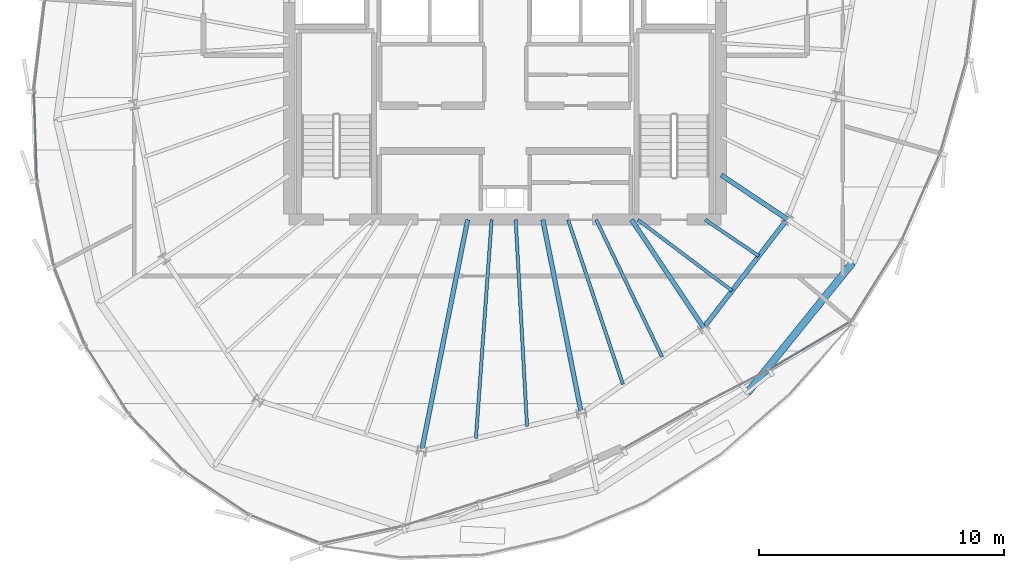
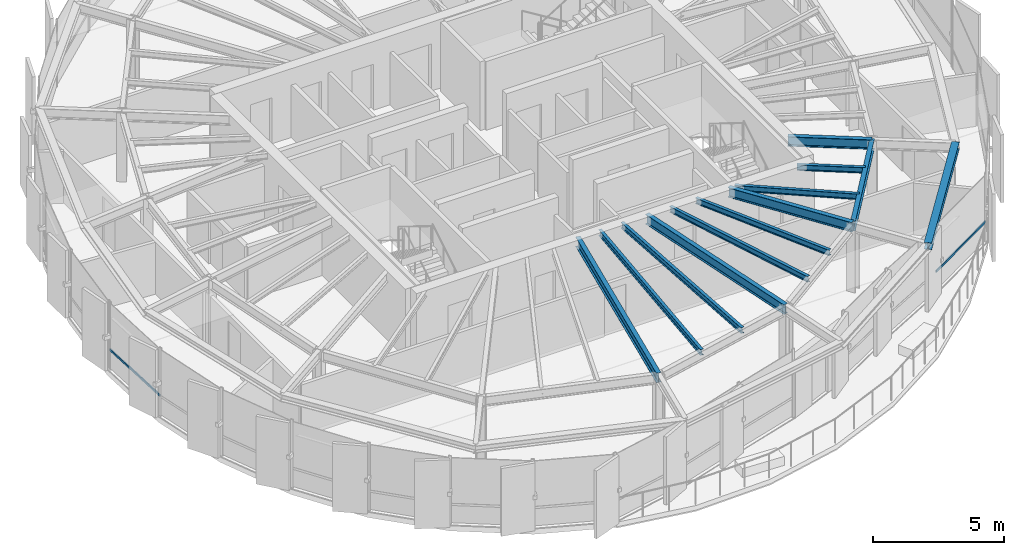
# One storey, part 8 of 31: 12 beams, 2 members, 2 elements without a shape of their own.
"""IFC4 building model written with IfcOpenShell, lengths in metres."""

from ifc_helpers import new_model, si_unit, direction, frame, origin, origin_2d, place, context, subcontext, project, spatial, hollow_rectangle, i_section, extrude, source, transform, mapped, material, layer, layer_set, material_profile, profile_set, type_object, element, aggregate, save


model = new_model("IFC4")

# Units and contexts
model_context = context("Model", 3, precision=1e-05, world=origin(), true_north=direction((0.0, 1.0)))
body_context = subcontext(model_context, "Body", "Model", "MODEL_VIEW")
ifc_project = project(units=[si_unit("LENGTHUNIT", "METRE"), si_unit("AREAUNIT", "SQUARE_METRE"), si_unit("VOLUMEUNIT", "CUBIC_METRE"), si_unit("PLANEANGLEUNIT", "RADIAN"), si_unit("MASSUNIT", "GRAM", prefix="KILO"), si_unit("THERMODYNAMICTEMPERATUREUNIT", "KELVIN")], contexts=[model_context])

# Site, building, storey
site_placement = place(None, origin())
site = spatial("IfcSite", under=ifc_project, at=site_placement, CompositionType="ELEMENT")
building_placement = place(site_placement, origin())
building = spatial("IfcBuilding", under=site, at=building_placement, Name="Kethvar Cultural Tower", CompositionType="ELEMENT")
storey_placement = place(building_placement, frame((0.0, 0.0, 283.60009765625)))
storey = spatial("IfcBuildingStorey", under=building, at=storey_placement, Name="L75", CompositionType="ELEMENT", Elevation=283.60009765625)

# Beams
ifc_material_1 = material(Name="Steel S355J2", Category="steel")
ifc_material_profile_1 = material_profile(ifc_material_1, i_section(OverallWidth=0.18994140625, OverallDepth=0.449951171875, WebThickness=0.009521484375, FlangeThickness=0.0146484375, FilletRadius=0.02099609375, at=origin_2d()), Name="Steel S355J2 — IPE450")
ifc_profile_set_1 = profile_set([ifc_material_profile_1], Name="Steel S355J2 — IPE450")
beam_type_1 = type_object("IfcBeamType", Name="BM-IPE450", PredefinedType="BEAM", material=ifc_profile_set_1)
shared_shape_1 = source(origin(), body_context, "Body", "SweptSolid", [
    extrude(i_section(OverallWidth=0.18994140625, OverallDepth=0.449951171875, WebThickness=0.009521484375, FlangeThickness=0.0146484375, FilletRadius=0.02099609375, at=origin_2d()), origin(), (0.0, 0.0, 1.0), 9.613525390625),
])
beam_1_placement = place(storey_placement, frame((45.268310546875, 20.10009765625, 2.98291015625), z_axis=(-0.195090428816, -0.980785259159, 0.0), x_axis=(0.980785259159, -0.195090428816, 0.0)))
element("IfcBeam", 1, at=beam_1_placement, inside=storey, type_object=beam_type_1, Name="L75 Primary Radial Beam RB-12", PredefinedType="BEAM", context=body_context, shape_type="MappedRepresentation", body=[
    mapped(shared_shape_1, transform((0.0, 0.0, 0.0), scale=1.0)),
])
shared_shape_2 = source(origin(), body_context, "Body", "SweptSolid", [
    extrude(i_section(OverallWidth=0.18994140625, OverallDepth=0.449951171875, WebThickness=0.009521484375, FlangeThickness=0.0146484375, FilletRadius=0.02099609375, at=origin_2d()), origin(), (0.0, 0.0, 1.0), 8.0478515625),
])
beam_2_placement = place(storey_placement, frame((48.33154296875, 20.10009765625, 2.98291015625), z_axis=(0.195089278796, -0.980785487912, 0.0), x_axis=(0.980785487912, 0.195089278796, 0.0)))
element("IfcBeam", 2, at=beam_2_placement, inside=storey, type_object=beam_type_1, Name="L75 Primary Radial Beam RB-13", PredefinedType="BEAM", context=body_context, shape_type="MappedRepresentation", body=[
    mapped(shared_shape_2, transform((0.0, 0.0, 0.0), scale=1.0)),
])
shared_shape_3 = source(origin(), body_context, "Body", "SweptSolid", [
    extrude(i_section(OverallWidth=0.18994140625, OverallDepth=0.449951171875, WebThickness=0.009521484375, FlangeThickness=0.0146484375, FilletRadius=0.02099609375, at=origin_2d()), origin(), (0.0, 0.0, 1.0), 5.291748046875),
])
beam_3_placement = place(storey_placement, frame((51.945068359375, 20.10009765625, 2.98291015625), z_axis=(0.555572931011, -0.831467809556, 0.0), x_axis=(0.831467809556, 0.555572931011, 0.0)))
element("IfcBeam", 3, at=beam_3_placement, inside=storey, type_object=beam_type_1, Name="L75 Primary Radial Beam RB-14", PredefinedType="BEAM", context=body_context, shape_type="MappedRepresentation", body=[
    mapped(shared_shape_3, transform((0.0, 0.0, 0.0), scale=1.0)),
])
shared_shape_4 = source(origin(), body_context, "Body", "SweptSolid", [
    extrude(i_section(OverallWidth=0.18994140625, OverallDepth=0.449951171875, WebThickness=0.009521484375, FlangeThickness=0.0146484375, FilletRadius=0.02099609375, at=origin_2d()), origin(), (0.0, 0.0, 1.0), 3.231689453125),
])
beam_4_placement = place(storey_placement, frame((55.60009765625, 21.919921875, 2.98291015625), z_axis=(0.831468708055, -0.55557158632, 0.0), x_axis=(0.55557158632, 0.831468708055, 0.0)))
element("IfcBeam", 4, at=beam_4_placement, inside=storey, type_object=beam_type_1, Name="L75 Primary Radial Beam RB-15", PredefinedType="BEAM", context=body_context, shape_type="MappedRepresentation", body=[
    mapped(shared_shape_4, transform((0.0, 0.0, 0.0), scale=1.0)),
])
ifc_material_profile_2 = material_profile(ifc_material_1, i_section(OverallWidth=0.135009765625, OverallDepth=0.27001953125, WebThickness=0.006591796875, FlangeThickness=0.01025390625, FilletRadius=0.014892578125, at=origin_2d()), Name="Steel S355J2 — IPE270")
ifc_profile_set_2 = profile_set([ifc_material_profile_2], Name="Steel S355J2 — IPE270")
beam_type_2 = type_object("IfcBeamType", Name="BM-J270", PredefinedType="JOIST", material=ifc_profile_set_2)
shared_shape_5 = source(origin(), body_context, "Body", "SweptSolid", [
    extrude(i_section(OverallWidth=0.135009765625, OverallDepth=0.27001953125, WebThickness=0.006591796875, FlangeThickness=0.01025390625, FilletRadius=0.014892578125, at=origin_2d()), origin(), (0.0, 0.0, 1.0), 8.9296875),
])
beam_5_placement = place(storey_placement, frame((46.246337890625, 20.10009765625, 3.072998046875), z_axis=(-0.071713352262, -0.99742528297, 0.0), x_axis=(0.99742528297, -0.071713352262, 0.0)))
element("IfcBeam", 5, at=beam_5_placement, inside=storey, type_object=beam_type_2, Name="L75 Composite Floor Joist J-12A", PredefinedType="JOIST", context=body_context, shape_type="MappedRepresentation", body=[
    mapped(shared_shape_5, transform((0.0, 0.0, 0.0), scale=1.0)),
])
shared_shape_6 = source(origin(), body_context, "Body", "SweptSolid", [
    extrude(i_section(OverallWidth=0.135009765625, OverallDepth=0.27001953125, WebThickness=0.006591796875, FlangeThickness=0.01025390625, FilletRadius=0.014892578125, at=origin_2d()), origin(), (0.0, 0.0, 1.0), 8.427978515625),
])
beam_6_placement = place(storey_placement, frame((47.224609375, 20.10009765625, 3.072998046875), z_axis=(0.055067321535, -0.998482643865, 0.0), x_axis=(0.998482643865, 0.055067321535, 0.0)))
element("IfcBeam", 6, at=beam_6_placement, inside=storey, type_object=beam_type_2, Name="L75 Composite Floor Joist J-12B", PredefinedType="JOIST", context=body_context, shape_type="MappedRepresentation", body=[
    mapped(shared_shape_6, transform((0.0, 0.0, 0.0), scale=1.0)),
])
shared_shape_7 = source(origin(), body_context, "Body", "SweptSolid", [
    extrude(i_section(OverallWidth=0.135009765625, OverallDepth=0.27001953125, WebThickness=0.006591796875, FlangeThickness=0.01025390625, FilletRadius=0.014892578125, at=origin_2d()), origin(), (0.0, 0.0, 1.0), 7.0673828125),
])
beam_7_placement = place(storey_placement, frame((49.363525390625, 20.10009765625, 3.072998046875), z_axis=(0.315875389768, -0.948800684095, 0.0), x_axis=(0.948800684095, 0.315875389768, 0.0)))
element("IfcBeam", 7, at=beam_7_placement, inside=storey, type_object=beam_type_2, Name="L75 Composite Floor Joist J-13A", PredefinedType="JOIST", context=body_context, shape_type="MappedRepresentation", body=[
    mapped(shared_shape_7, transform((0.0, 0.0, 0.0), scale=1.0)),
])
shared_shape_8 = source(origin(), body_context, "Body", "SweptSolid", [
    extrude(i_section(OverallWidth=0.135009765625, OverallDepth=0.27001953125, WebThickness=0.006591796875, FlangeThickness=0.01025390625, FilletRadius=0.014892578125, at=origin_2d()), origin(), (0.0, 0.0, 1.0), 6.2001953125),
])
beam_8_placement = place(storey_placement, frame((50.50341796875, 20.10009765625, 3.072998046875), z_axis=(0.433410678328, -0.901196529017, 0.0), x_axis=(0.901196529017, 0.433410678328, 0.0)))
element("IfcBeam", 8, at=beam_8_placement, inside=storey, type_object=beam_type_2, Name="L75 Composite Floor Joist J-13B", PredefinedType="JOIST", context=body_context, shape_type="MappedRepresentation", body=[
    mapped(shared_shape_8, transform((0.0, 0.0, 0.0), scale=1.0)),
])
shared_shape_9 = source(origin(), body_context, "Body", "SweptSolid", [
    extrude(i_section(OverallWidth=0.18994140625, OverallDepth=0.449951171875, WebThickness=0.009521484375, FlangeThickness=0.0146484375, FilletRadius=0.02099609375, at=origin_2d()), origin(), (0.0, 0.0, 1.0), 5.5810546875),
])
beam_9_placement = place(storey_placement, frame((54.885009765625, 15.7001953125, 2.98291015625), z_axis=(0.60957334008, 0.79272967843, 0.0), x_axis=(-0.79272967843, 0.60957334008, 0.0)))
element("IfcBeam", 9, at=beam_9_placement, inside=storey, type_object=beam_type_1, Name="L75 Column Ring Tie Beam CR-14", PredefinedType="BEAM", context=body_context, shape_type="MappedRepresentation", body=[
    mapped(shared_shape_9, transform((0.0, 0.0, 0.0), scale=1.0)),
])
ifc_material_profile_3 = material_profile(ifc_material_1, i_section(OverallWidth=0.300048828125, OverallDepth=0.320068359375, WebThickness=0.011474609375, FlangeThickness=0.0205078125, FilletRadius=0.027099609375, at=origin_2d()), Name="Steel S355J2 — HEB320")
ifc_profile_set_3 = profile_set([ifc_material_profile_3], Name="Steel S355J2 — HEB320")
beam_type_3 = type_object("IfcBeamType", Name="BM-SP320", PredefinedType="SPANDREL", material=ifc_profile_set_3)
shared_shape_10 = source(origin(), body_context, "Body", "SweptSolid", [
    extrude(i_section(OverallWidth=0.300048828125, OverallDepth=0.320068359375, WebThickness=0.011474609375, FlangeThickness=0.0205078125, FilletRadius=0.027099609375, at=origin_2d()), origin(), (0.0, 0.0, 1.0), 6.8212890625),
])
beam_10_placement = place(storey_placement, frame((56.66259765625, 13.039306640625, 3.0478515625), z_axis=(0.628197971595, 0.778053538315, 0.0), x_axis=(-0.778053538315, 0.628197971595, 0.0)))
element("IfcBeam", 10, at=beam_10_placement, inside=storey, type_object=beam_type_3, Name="L75 Perimeter Spandrel Beam SP-14", PredefinedType="SPANDREL", context=body_context, shape_type="MappedRepresentation", body=[
    mapped(shared_shape_10, transform((0.0, 0.0, 0.0), scale=1.0)),
])
shared_shape_11 = source(origin(), body_context, "Body", "SweptSolid", [
    extrude(i_section(OverallWidth=0.135009765625, OverallDepth=0.27001953125, WebThickness=0.006591796875, FlangeThickness=0.01025390625, FilletRadius=0.014892578125, at=origin_2d()), origin(), (0.0, 0.0, 1.0), 4.810791015625),
])
beam_11_placement = place(storey_placement, frame((52.199951171875, 20.10009765625, 3.072998046875), z_axis=(0.798542152732, -0.601938892505, 0.0), x_axis=(0.601938892505, 0.798542152732, 0.0)))
element("IfcBeam", 11, at=beam_11_placement, inside=storey, type_object=beam_type_2, Name="L75 Composite Floor Joist J-14A", PredefinedType="JOIST", context=body_context, shape_type="MappedRepresentation", body=[
    mapped(shared_shape_11, transform((0.0, 0.0, 0.0), scale=1.0)),
])
shared_shape_12 = source(origin(), body_context, "Body", "SweptSolid", [
    extrude(i_section(OverallWidth=0.135009765625, OverallDepth=0.27001953125, WebThickness=0.006591796875, FlangeThickness=0.01025390625, FilletRadius=0.014892578125, at=origin_2d()), origin(), (0.0, 0.0, 1.0), 2.635009765625),
])
beam_12_placement = place(storey_placement, frame((54.949951171875, 20.10009765625, 3.072998046875), z_axis=(0.827446562598, -0.561544464887, 0.0), x_axis=(0.561544464887, 0.827446562598, 0.0)))
element("IfcBeam", 12, at=beam_12_placement, inside=storey, type_object=beam_type_2, Name="L75 Composite Floor Joist J-14B", PredefinedType="JOIST", context=body_context, shape_type="MappedRepresentation", body=[
    mapped(shared_shape_12, transform((0.0, 0.0, 0.0), scale=1.0)),
])

# Curtain wall, member
ifc_material_2 = material(Name="Aluminium 6063-T6", Category="aluminium")
ifc_layer = layer(ifc_material_2, 0.179931640625, Name="Aluminium 6063-T6", Category="aluminium")
ifc_layer_set = layer_set([ifc_layer], Name="Aluminium 6063-T6 (180 mm)")
curtain_wall_type = type_object("IfcCurtainWallType", Name="CW-SYS-05-Z56", PredefinedType="NOTDEFINED", material=ifc_layer_set)
curtain_wall_1_placement = place(storey_placement, origin())
curtain_wall_1 = element("IfcCurtainWall", 13, at=curtain_wall_1_placement, inside=storey, type_object=curtain_wall_type, Name="L75 Curtain Wall Run 03", PredefinedType="NOTDEFINED")
ifc_material_profile_4 = material_profile(ifc_material_2, hollow_rectangle(XDim=0.050048828125, YDim=0.10009765625, WallThickness=0.00390625, at=origin_2d()), Name="Aluminium 6063-T6 — RHS100x50x4")
ifc_profile_set_4 = profile_set([ifc_material_profile_4], Name="Aluminium 6063-T6 — RHS100x50x4")
member_type = type_object("IfcMemberType", Name="CW-SYS-05-Z56-TRN", PredefinedType="USERDEFINED", material=ifc_profile_set_4)
shared_shape_13 = source(origin(), body_context, "Body", "SweptSolid", [
    extrude(hollow_rectangle(XDim=0.050048828125, YDim=0.10009765625, WallThickness=0.00390625, at=origin_2d()), origin(), (0.0, 0.0, 1.0), 3.610595703125),
])
member_1_placement = place(storey_placement, frame((27.5966796875, 25.305908203125, 0.949951171875), z_axis=(0.034215407825, -0.999414481518, 0.0), x_axis=(0.999414481518, 0.034215407825, 0.0)))
member_1 = element("IfcMember", 14, at=member_1_placement, type_object=member_type, Name="CW-L75-R03 Transom 1", ObjectType="TRANSOM", PredefinedType="USERDEFINED", context=body_context, shape_type="MappedRepresentation", body=[
    mapped(shared_shape_13, transform((0.0, 0.0, 0.0), scale=1.0)),
])
aggregate(curtain_wall_1, [member_1])

curtain_wall_2_placement = place(storey_placement, origin())
curtain_wall_2 = element("IfcCurtainWall", 15, at=curtain_wall_2_placement, inside=storey, type_object=curtain_wall_type, Name="L75 Curtain Wall Run 05", PredefinedType="NOTDEFINED")
shared_shape_14 = source(origin(), body_context, "Body", "SweptSolid", [
    extrude(hollow_rectangle(XDim=0.050048828125, YDim=0.10009765625, WallThickness=0.00390625, at=origin_2d()), origin(), (0.0, 0.0, 1.0), 3.8291015625),
])
member_2_placement = place(storey_placement, frame((57.587158203125, 14.012939453125, 0.949951171875), z_axis=(0.860955721802, 0.508679904357, 0.0), x_axis=(-0.508679904357, 0.860955721802, 0.0)))
member_2 = element("IfcMember", 16, at=member_2_placement, type_object=member_type, Name="CW-L75-R05 Transom 3", ObjectType="TRANSOM", PredefinedType="USERDEFINED", context=body_context, shape_type="MappedRepresentation", body=[
    mapped(shared_shape_14, transform((0.0, 0.0, 0.0), scale=1.0)),
])
aggregate(curtain_wall_2, [member_2])

save(model, "model.ifc")
